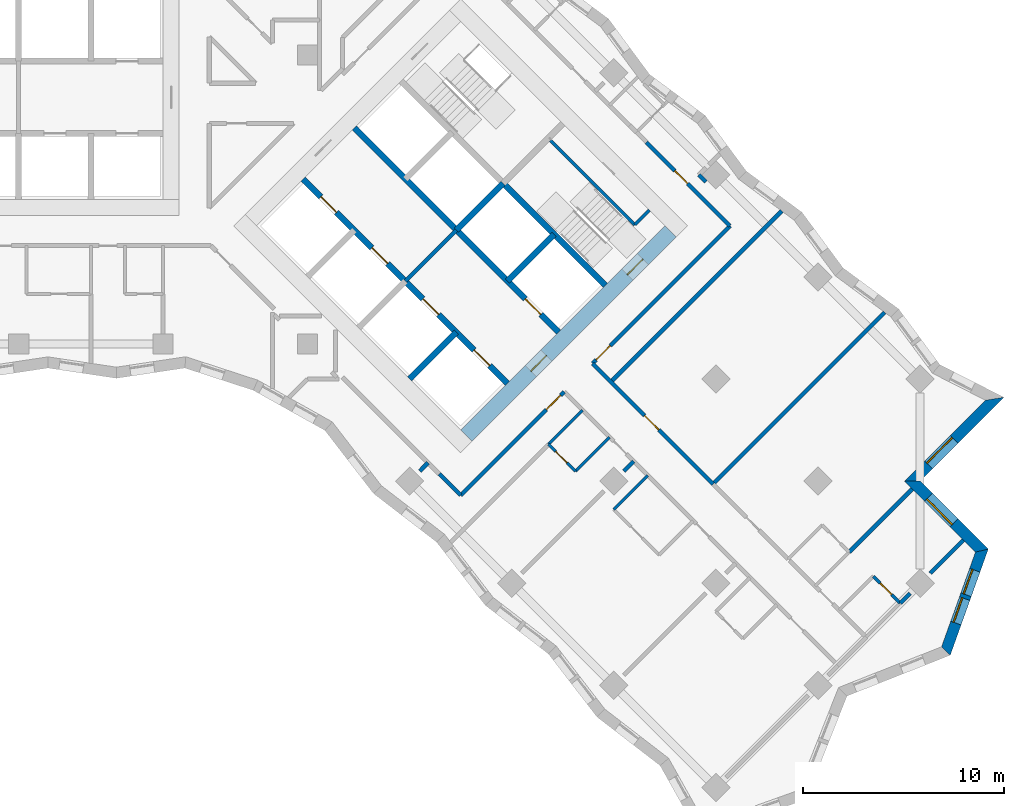
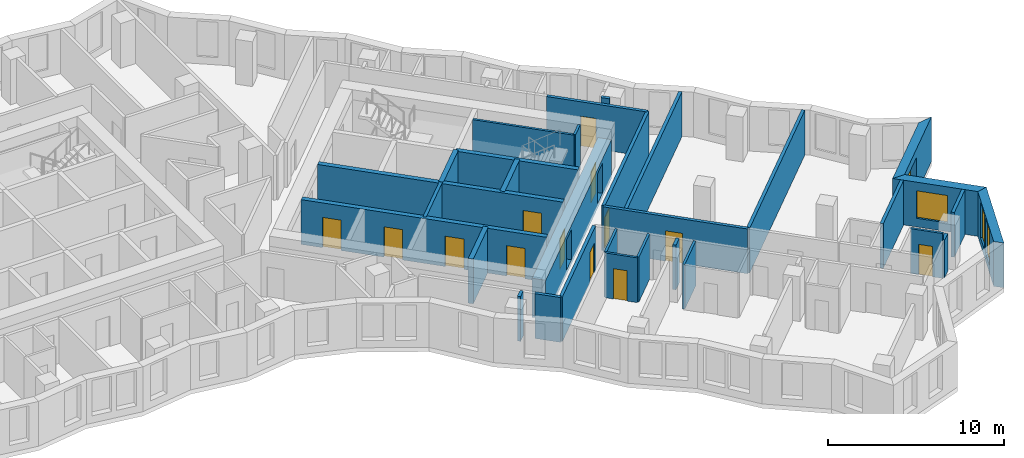
# One storey, part 9 of 13: 31 walls, 13 doors, 4 windows, 17 openings.
"""IFC4 building model written with IfcOpenShell, lengths in metres."""

import ifcopenshell
import ifcopenshell.guid

model = None  # the IFC model being written
_history = None  # IfcOwnerHistory: only IFC2X3 demands one
_inside = {}  # id of a spatial element -> (the spatial element, [elements in it])
_under = {}  # id of a project, library or spatial element -> (it, [spatial elements below it])
_declared = {}  # id of a project -> (the project, [libraries it declares])
_typed = {}  # id of a type object -> (the type object, [elements of that type])
_made_of = {}  # id of a material, layer set ... -> (it, [elements and type objects made of it])


def new_model(schema):
    """Start an empty IFC model of exactly this schema.

    Asked for "IFC4X3", IfcOpenShell would pick the latest addendum, in which some entities
    have other attributes; the version numbers below select the first issue.
    IFC2X3 requires an IfcOwnerHistory on every rooted entity: one is made here for all.
    """
    global model, _history
    if schema == "IFC4X3":
        model = ifcopenshell.file(schema_version=(4, 3, 0, 0))
    else:
        model = ifcopenshell.file(schema=schema)
    _inside.clear()
    _under.clear()
    _declared.clear()
    _typed.clear()
    _made_of.clear()
    _history = None
    if model.schema == "IFC2X3":
        org = make("IfcOrganization", Name="unknown")
        user = make(
            "IfcPersonAndOrganization",
            ThePerson=make("IfcPerson", FamilyName="unknown"),
            TheOrganization=org,
        )
        app = make(
            "IfcApplication",
            ApplicationDeveloper=org,
            Version="unknown",
            ApplicationFullName="unknown",
            ApplicationIdentifier="unknown",
        )
        _history = make(
            "IfcOwnerHistory",
            OwningUser=user,
            OwningApplication=app,
            ChangeAction="ADDED",
            CreationDate=0,
        )
    return model


def make(cls, **values):
    """One entity of the class cls with the attributes given. An attribute that is None is left unset."""
    return model.create_entity(
        cls, **{name: value for name, value in values.items() if value is not None}
    )


def rooted(cls, **values):
    """An entity with a GlobalId (a new one), such as an element, a storey or a relation."""
    return make(cls, GlobalId=ifcopenshell.guid.new(), OwnerHistory=_history, **values)


def si_unit(unit_type, name, prefix=None):
    """IfcSIUnit, for example si_unit("LENGTHUNIT", "METRE", prefix="MILLI")."""
    return make("IfcSIUnit", UnitType=unit_type, Prefix=prefix, Name=name)


def assignment(units):
    """IfcUnitAssignment: the units of a project."""
    return None if units is None else make("IfcUnitAssignment", Units=units)


def point(xyz):
    """IfcCartesianPoint."""
    return None if xyz is None else make("IfcCartesianPoint", Coordinates=xyz)


def direction(xyz):
    """IfcDirection."""
    return None if xyz is None else make("IfcDirection", DirectionRatios=xyz)


def frame(location, z_axis=None, x_axis=None):
    """IfcAxis2Placement3D, a coordinate frame: its origin and axes. An axis left out is left unset."""
    return make(
        "IfcAxis2Placement3D",
        Location=point(location),
        Axis=direction(z_axis),
        RefDirection=direction(x_axis),
    )


def frame_2d(location, x_axis=None):
    """IfcAxis2Placement2D, a coordinate frame in the plane: its origin and x axis."""
    return make(
        "IfcAxis2Placement2D", Location=point(location), RefDirection=direction(x_axis)
    )


def origin():
    """The frame at (0, 0, 0) with its axes left unset."""
    return frame((0.0, 0.0, 0.0))


def place(relative_to, where):
    """IfcLocalPlacement: puts the frame where relative to a parent placement (None: the world)."""
    return make(
        "IfcLocalPlacement", PlacementRelTo=relative_to, RelativePlacement=where
    )


def context(
    kind, dimensions, precision=None, world=None, true_north=None, identifier=None
):
    """IfcGeometricRepresentationContext, for example the 3D "Model" context."""
    return make(
        "IfcGeometricRepresentationContext",
        ContextIdentifier=identifier,
        ContextType=kind,
        CoordinateSpaceDimension=dimensions,
        Precision=precision,
        WorldCoordinateSystem=world,
        TrueNorth=true_north,
    )


def subcontext(parent, identifier, kind, view, scale=None):
    """IfcGeometricRepresentationSubContext, for example "Body" below "Model"."""
    return make(
        "IfcGeometricRepresentationSubContext",
        ContextIdentifier=identifier,
        ContextType=kind,
        ParentContext=parent,
        TargetScale=scale,
        TargetView=view,
    )


def project(units=None, contexts=None):
    """IfcProject with its units and contexts."""
    return rooted(
        "IfcProject",
        Name="project",
        RepresentationContexts=contexts,
        UnitsInContext=assignment(units),
    )


def spatial(cls, under=None, at=None, **own):
    """A site, building, storey or space (cls), placed at a placement, below another one or the project."""
    s = rooted(cls, ObjectPlacement=at, **own)
    if under is not None:
        _under.setdefault(under.id(), (under, []))[1].append(s)
    return s


def polyline(points):
    """IfcPolyline through the points."""
    return make("IfcPolyline", Points=[point(p) for p in points])


def profile(cls, at=None, kind="AREA", **sizes):
    """A parametric profile (cls). Its sizes go by their IFC names, for example OverallWidth=200.0."""
    return make(cls, ProfileType=kind, Position=at, **sizes)


def rectangle(**sizes):
    """IfcRectangleProfileDef."""
    return profile("IfcRectangleProfileDef", **sizes)


def outline(outer, holes=None, kind="AREA"):
    """IfcArbitraryClosedProfileDef: a profile drawn as a closed curve; with holes, ...WithVoids."""
    if holes is None:
        return make("IfcArbitraryClosedProfileDef", ProfileType=kind, OuterCurve=outer)
    return make(
        "IfcArbitraryProfileDefWithVoids",
        ProfileType=kind,
        OuterCurve=outer,
        InnerCurves=holes,
    )


def extrude(swept, where, along, depth):
    """IfcExtrudedAreaSolid: the profile swept, set in the frame where, extruded along a direction by depth."""
    return make(
        "IfcExtrudedAreaSolid",
        SweptArea=swept,
        Position=where,
        ExtrudedDirection=direction(along),
        Depth=depth,
    )


def shape(context_of_items, identifier, shape_type, items):
    """IfcShapeRepresentation: the items that make up one representation, for example the "Body"."""
    return make(
        "IfcShapeRepresentation",
        ContextOfItems=context_of_items,
        RepresentationIdentifier=identifier,
        RepresentationType=shape_type,
        Items=items,
    )


def material(Name=None, Category=None):
    """IfcMaterial."""
    return make("IfcMaterial", Name=Name, Category=Category)


def layer(
    of_material, thickness, ventilated=None, Name=None, Category=None, Priority=None
):
    """IfcMaterialLayer: one layer of a wall or slab, of a material (None: an air gap)."""
    return make(
        "IfcMaterialLayer",
        Material=of_material,
        LayerThickness=thickness,
        IsVentilated=ventilated,
        Name=Name,
        Category=Category,
        Priority=Priority,
    )


def layer_set(layers, Name=None):
    """IfcMaterialLayerSet."""
    return make("IfcMaterialLayerSet", MaterialLayers=layers, LayerSetName=Name)


def made_of(thing, what):
    """Note that an element or type object is made of a material, layer set ...; save() writes the relation."""
    if what is not None:
        _made_of.setdefault(what.id(), (what, []))[1].append(thing)
    return thing


def type_object(cls, material=None, **own):
    """A type object (cls), such as IfcWallType, which elements share."""
    return made_of(rooted(cls, **own), material)


def element(
    cls,
    number,
    at=None,
    inside=None,
    cuts=None,
    type_object=None,
    material=None,
    context=None,
    identifier="Body",
    shape_type=None,
    held_by="IfcProductDefinitionShape",
    body=None,
    shapes=None,
    **own,
):
    """One element of the class cls, such as IfcWall. Its Tag is "e" and its number.

    at: its placement. inside: the storey or other place that contains it. cuts: it is an
    opening in that element (IfcRelVoidsElement). A single representation is given by context,
    identifier, shape_type and body (its items); several are given by shapes. held_by: the class
    of the entity that holds the representations. save() writes the other relations.
    """
    e = rooted(cls, Tag="e%d" % number, ObjectPlacement=at, **own)
    if body is not None:
        shapes = [shape(context, identifier, shape_type, body)]
    if shapes is not None:
        e.Representation = make(held_by, Representations=shapes)
    if inside is not None:
        _inside.setdefault(inside.id(), (inside, []))[1].append(e)
    if cuts is not None:
        rooted(
            "IfcRelVoidsElement", RelatingBuildingElement=cuts, RelatedOpeningElement=e
        )
    if type_object is not None:
        _typed.setdefault(type_object.id(), (type_object, []))[1].append(e)
    return made_of(e, material)


def fill(opening, filler):
    """IfcRelFillsElement: the door or window that sits in an opening."""
    return rooted(
        "IfcRelFillsElement",
        RelatingOpeningElement=opening,
        RelatedBuildingElement=filler,
    )


def aggregate(whole, parts):
    """IfcRelAggregates: a whole, such as a stair, and the parts it consists of."""
    return rooted("IfcRelAggregates", RelatingObject=whole, RelatedObjects=parts)


def save(model, path):
    """Write the relations noted so far, then the file.

    IfcRelAggregates (storeys below a building ...), IfcRelContainedInSpatialStructure (elements
    in a storey), IfcRelDefinesByType, IfcRelAssociatesMaterial and IfcRelDeclares: one each for
    every whole, place, type object, material and project.
    """
    for whole, parts in _under.values():
        aggregate(whole, parts)
    for where, things in _inside.values():
        rooted(
            "IfcRelContainedInSpatialStructure",
            RelatedElements=things,
            RelatingStructure=where,
        )
    for kind, things in _typed.values():
        rooted("IfcRelDefinesByType", RelatedObjects=things, RelatingType=kind)
    for what, things in _made_of.values():
        rooted("IfcRelAssociatesMaterial", RelatedObjects=things, RelatingMaterial=what)
    for by, libraries in _declared.values():
        rooted("IfcRelDeclares", RelatingContext=by, RelatedDefinitions=libraries)
    model.write(path)


model = new_model("IFC4")

# Units and contexts
model_context = context("Model", 3, precision=1e-05, world=origin(), true_north=direction((0.0, 1.0)))
body_context = subcontext(model_context, "Body", "Model", "MODEL_VIEW")
ifc_project = project(units=[si_unit("LENGTHUNIT", "METRE"), si_unit("AREAUNIT", "SQUARE_METRE"), si_unit("VOLUMEUNIT", "CUBIC_METRE"), si_unit("PLANEANGLEUNIT", "RADIAN"), si_unit("MASSUNIT", "GRAM", prefix="KILO")], contexts=[model_context])

# Site, building, storey
site_placement = place(None, origin())
site = spatial("IfcSite", under=ifc_project, at=site_placement, CompositionType="ELEMENT")
building_placement = place(site_placement, origin())
building = spatial("IfcBuilding", under=site, at=building_placement, Name="Windrow Commons", CompositionType="ELEMENT")
storey_placement = place(building_placement, frame((0.0, 0.0, 105.0)))
storey = spatial("IfcBuildingStorey", under=building, at=storey_placement, Name="L28", CompositionType="ELEMENT", Elevation=105.0)

# Wall, openings, windows
ifc_material_1 = material(Name="Brick masonry, red clay brick", Category="masonry")
ifc_layer_1 = layer(ifc_material_1, 0.55)
ifc_layer_set_1 = layer_set([ifc_layer_1], Name="Brick facade wall 550")
wall_type_1 = type_object("IfcWallType", Name="Brick facade wall 550", PredefinedType="SOLIDWALL", material=ifc_layer_set_1)
wall_1_placement = place(storey_placement, frame((111.0306, 27.8899, 0.0), z_axis=(0.0, 0.0, 1.0), x_axis=(0.3371475074, 0.9414518353, 0.0)))
wall_1 = element("IfcWall", 1, at=wall_1_placement, inside=storey, type_object=wall_type_1, Name="Brick facade wall L28 4", PredefinedType="SOLIDWALL", context=body_context, shape_type="SweptSolid", body=[
    extrude(outline(polyline([(-0.1245, -0.275), (5.4921, -0.275), (5.1437, 0.275), (0.1245, 0.275), (-0.1245, -0.275)])), origin(), (0.0, 0.0, 1.0), 3.1),
])
opening_1_placement = place(wall_1_placement, frame((1.4786, 0.0, 0.5)))
opening_1 = element("IfcOpeningElement", 2, at=opening_1_placement, cuts=wall_1, Name="Opening W1P", PredefinedType="OPENING", context=body_context, shape_type="SweptSolid", body=[
    extrude(rectangle(XDim=1.3, YDim=2.45, at=frame_2d((0.65, 1.225))), frame((0.0, 0.285, 0.0), z_axis=(0.0, -1.0, 0.0), x_axis=(1.0, 0.0, 0.0)), (0.0, 0.0, 1.0), 0.57),
])
opening_2_placement = place(wall_1_placement, frame((2.9786, 0.0, 0.5)))
opening_2 = element("IfcOpeningElement", 3, at=opening_2_placement, cuts=wall_1, Name="Opening W1P", PredefinedType="OPENING", context=body_context, shape_type="SweptSolid", body=[
    extrude(rectangle(XDim=1.3, YDim=2.45, at=frame_2d((0.65, 1.225))), frame((0.0, 0.285, 0.0), z_axis=(0.0, -1.0, 0.0), x_axis=(1.0, 0.0, 0.0)), (0.0, 0.0, 1.0), 0.57),
])
ifc_material_2 = material(Name="Clear float glass in anodised aluminium frame", Category="aluminium")
window_type_1 = type_object("IfcWindowType", Name="Window W1P pair 1300x2450", PartitioningType="SINGLE_PANEL", PredefinedType="WINDOW", material=ifc_material_2)
window_1_placement = place(opening_1_placement, origin())
window_1 = element("IfcWindow", 4, at=window_1_placement, inside=storey, type_object=window_type_1, Name="Window L28 4.1A", OverallHeight=2.45, OverallWidth=1.3, PartitioningType="SINGLE_PANEL", PredefinedType="WINDOW", context=body_context, shape_type="SweptSolid", body=[
    extrude(rectangle(XDim=1.3, YDim=2.45, at=frame_2d((0.65, 1.225))), frame((0.0, 0.155, 0.0), z_axis=(0.0, -1.0, 0.0), x_axis=(1.0, 0.0, 0.0)), (0.0, 0.0, 1.0), 0.06),
])
fill(opening_1, window_1)
window_2_placement = place(opening_2_placement, origin())
window_2 = element("IfcWindow", 5, at=window_2_placement, inside=storey, type_object=window_type_1, Name="Window L28 4.1B", OverallHeight=2.45, OverallWidth=1.3, PartitioningType="SINGLE_PANEL", PredefinedType="WINDOW", context=body_context, shape_type="SweptSolid", body=[
    extrude(rectangle(XDim=1.3, YDim=2.45, at=frame_2d((0.65, 1.225))), frame((0.0, 0.155, 0.0), z_axis=(0.0, -1.0, 0.0), x_axis=(1.0, 0.0, 0.0)), (0.0, 0.0, 1.0), 0.06),
])
fill(opening_2, window_2)

# Wall, opening, window
wall_2_placement = place(storey_placement, frame((112.8235, 32.8964, 0.0), z_axis=(0.0, 0.0, 1.0), x_axis=(-0.7071067812, 0.7071067812, 0.0)))
wall_2 = element("IfcWall", 6, at=wall_2_placement, inside=storey, type_object=wall_type_1, Name="Brick facade wall L28 5", PredefinedType="SOLIDWALL", context=body_context, shape_type="SweptSolid", body=[
    extrude(outline(polyline([(-0.1742, -0.275), (4.6258, -0.275), (5.1758, 0.275), (0.1742, 0.275), (-0.1742, -0.275)])), origin(), (0.0, 0.0, 1.0), 3.1),
])
opening_3_placement = place(wall_2_placement, frame((1.9633, 0.0, 0.6)))
opening_3 = element("IfcOpeningElement", 7, at=opening_3_placement, cuts=wall_2, Name="Opening W1L", PredefinedType="OPENING", context=body_context, shape_type="SweptSolid", body=[
    extrude(rectangle(XDim=1.8, YDim=1.9, at=frame_2d((0.9, 0.95))), frame((0.0, 0.285, 0.0), z_axis=(0.0, -1.0, 0.0), x_axis=(1.0, 0.0, 0.0)), (0.0, 0.0, 1.0), 0.57),
])
ifc_material_3 = material(Name="Clear float glass in anodised aluminium frame", Category="aluminium")
window_type_2 = type_object("IfcWindowType", Name="Window W1L bedroom 1800x1900", PartitioningType="SINGLE_PANEL", PredefinedType="WINDOW", material=ifc_material_3)
window_3_placement = place(opening_3_placement, origin())
window_3 = element("IfcWindow", 8, at=window_3_placement, inside=storey, type_object=window_type_2, Name="Window L28 5.1", OverallHeight=1.9, OverallWidth=1.8, PartitioningType="SINGLE_PANEL", PredefinedType="WINDOW", context=body_context, shape_type="SweptSolid", body=[
    extrude(rectangle(XDim=1.8, YDim=1.9, at=frame_2d((0.9, 0.95))), frame((0.0, 0.155, 0.0), z_axis=(0.0, -1.0, 0.0), x_axis=(1.0, 0.0, 0.0)), (0.0, 0.0, 1.0), 0.06),
])
fill(opening_3, window_3)

wall_3_placement = place(storey_placement, frame((109.3581, 36.3618, 0.0), z_axis=(0.0, 0.0, 1.0), x_axis=(0.7071067812, 0.7071067812, 0.0)))
wall_3 = element("IfcWall", 9, at=wall_3_placement, inside=storey, type_object=wall_type_1, Name="Brick facade wall L28 6", PredefinedType="SOLIDWALL", context=body_context, shape_type="SweptSolid", body=[
    extrude(outline(polyline([(0.275, -0.275), (6.187, -0.275), (5.4292, 0.275), (-0.275, 0.275), (0.275, -0.275)])), origin(), (0.0, 0.0, 1.0), 3.1),
])
opening_4_placement = place(wall_3_placement, frame((1.1375, 0.0, 0.6)))
opening_4 = element("IfcOpeningElement", 10, at=opening_4_placement, cuts=wall_3, Name="Opening W1L", PredefinedType="OPENING", context=body_context, shape_type="SweptSolid", body=[
    extrude(rectangle(XDim=1.8, YDim=1.9, at=frame_2d((0.9, 0.95))), frame((0.0, 0.285, 0.0), z_axis=(0.0, -1.0, 0.0), x_axis=(1.0, 0.0, 0.0)), (0.0, 0.0, 1.0), 0.57),
])
window_4_placement = place(opening_4_placement, origin())
window_4 = element("IfcWindow", 11, at=window_4_placement, inside=storey, type_object=window_type_2, Name="Window L28 6.1", OverallHeight=1.9, OverallWidth=1.8, PartitioningType="SINGLE_PANEL", PredefinedType="WINDOW", context=body_context, shape_type="SweptSolid", body=[
    extrude(rectangle(XDim=1.8, YDim=1.9, at=frame_2d((0.9, 0.95))), frame((0.0, 0.155, 0.0), z_axis=(0.0, -1.0, 0.0), x_axis=(1.0, 0.0, 0.0)), (0.0, 0.0, 1.0), 0.06),
])
fill(opening_4, window_4)

# Wall
ifc_material_4 = material(Name="Blockwork partition", Category="masonry")
ifc_layer_2 = layer(ifc_material_4, 0.2)
ifc_layer_set_2 = layer_set([ifc_layer_2], Name="Fire lobby partition 200")
wall_type_2 = type_object("IfcWallType", Name="Fire lobby partition 200", PredefinedType="PARTITIONING", material=ifc_layer_set_2)
wall_4_placement = place(storey_placement, frame((84.079, 46.332, 0.0), z_axis=(0.0, 0.0, 1.0), x_axis=(0.7071067812, 0.7071067812, 0.0)))
element("IfcWall", 12, at=wall_4_placement, inside=storey, type_object=wall_type_2, Name="W-core-lobby-B-L28", PredefinedType="PARTITIONING", context=body_context, shape_type="SweptSolid", body=[
    extrude(rectangle(XDim=3.6, YDim=0.2, at=frame_2d((1.8, 0.0))), origin(), (0.0, 0.0, 1.0), 3.1),
])

# Wall, opening, door
ifc_material_5 = material(Name="Blockwork partition", Category="masonry")
ifc_layer_3 = layer(ifc_material_5, 0.2)
ifc_layer_set_3 = layer_set([ifc_layer_3], Name="IW-CORRIDOR-200")
wall_type_3 = type_object("IfcWallType", Name="IW-CORRIDOR-200", PredefinedType="PARTITIONING", material=ifc_layer_set_3)
wall_5_placement = place(storey_placement, frame((93.4132, 42.2328, 0.0), z_axis=(0.0, 0.0, 1.0), x_axis=(0.7071067812, 0.7071067812, 0.0)))
wall_5 = element("IfcWall", 13, at=wall_5_placement, inside=storey, type_object=wall_type_3, Name="W-L28-W013", PredefinedType="PARTITIONING", context=body_context, shape_type="SweptSolid", body=[
    extrude(rectangle(XDim=9.6987, YDim=0.2, at=frame_2d((4.8494, 0.0))), origin(), (0.0, 0.0, 1.0), 3.1),
])
opening_5_placement = place(wall_5_placement, frame((0.2494, 0.0, 0.0)))
opening_5 = element("IfcOpeningElement", 14, at=opening_5_placement, cuts=wall_5, Name="Opening D310F", PredefinedType="OPENING", context=body_context, shape_type="SweptSolid", body=[
    extrude(rectangle(XDim=1.0, YDim=2.1, at=frame_2d((0.5, 1.05))), frame((0.0, 0.11, 0.0), z_axis=(0.0, -1.0, 0.0), x_axis=(1.0, 0.0, 0.0)), (0.0, 0.0, 1.0), 0.22),
])
ifc_material_6 = material(Name="Timber door leaf", Category="wood")
door_type_1 = type_object("IfcDoorType", Name="DT-AMENITY-1000", OperationType="SINGLE_SWING_LEFT", PredefinedType="DOOR", material=ifc_material_6)
door_1_placement = place(opening_5_placement, origin())
door_1 = element("IfcDoor", 15, at=door_1_placement, inside=storey, type_object=door_type_1, Name="D-L28-D042", OperationType="SINGLE_SWING_LEFT", OverallHeight=2.1, OverallWidth=1.0, PredefinedType="DOOR", context=body_context, shape_type="SweptSolid", body=[
    extrude(rectangle(XDim=1.0, YDim=2.1, at=frame_2d((0.5, 1.05))), frame((0.0, 0.025, 0.0), z_axis=(0.0, -1.0, 0.0), x_axis=(1.0, 0.0, 0.0)), (0.0, 0.0, 1.0), 0.05),
])
fill(opening_5, door_1)

wall_6_placement = place(storey_placement, frame((93.4106, 42.2266, 0.0), z_axis=(0.0, 0.0, 1.0), x_axis=(0.7071067812, -0.7071067812, 0.0)))
wall_6 = element("IfcWall", 16, at=wall_6_placement, inside=storey, type_object=wall_type_3, Name="W-L28-W017", PredefinedType="PARTITIONING", context=body_context, shape_type="SweptSolid", body=[
    extrude(rectangle(XDim=8.4994, YDim=0.2, at=frame_2d((4.2497, 0.0))), origin(), (0.0, 0.0, 1.0), 3.1),
])
opening_6_placement = place(wall_6_placement, frame((3.6724, 0.0, 0.0)))
opening_6 = element("IfcOpeningElement", 17, at=opening_6_placement, cuts=wall_6, Name="Opening D310F", PredefinedType="OPENING", context=body_context, shape_type="SweptSolid", body=[
    extrude(rectangle(XDim=1.0, YDim=2.1, at=frame_2d((0.5, 1.05))), frame((0.0, 0.11, 0.0), z_axis=(0.0, -1.0, 0.0), x_axis=(1.0, 0.0, 0.0)), (0.0, 0.0, 1.0), 0.22),
])
door_2_placement = place(opening_6_placement, origin())
door_2 = element("IfcDoor", 18, at=door_2_placement, inside=storey, type_object=door_type_1, Name="D-L28-D043", OperationType="SINGLE_SWING_RIGHT", OverallHeight=2.1, OverallWidth=1.0, PredefinedType="DOOR", context=body_context, shape_type="SweptSolid", body=[
    extrude(rectangle(XDim=1.0, YDim=2.1, at=frame_2d((0.5, 1.05))), frame((0.0, 0.025, 0.0), z_axis=(0.0, -1.0, 0.0), x_axis=(1.0, 0.0, 0.0)), (0.0, 0.0, 1.0), 0.05),
])
fill(opening_6, door_2)

wall_7_placement = place(storey_placement, frame((86.8352, 35.6548, 0.0), z_axis=(0.0, 0.0, 1.0), x_axis=(0.7071067812, 0.7071067812, 0.0)))
wall_7 = element("IfcWall", 19, at=wall_7_placement, inside=storey, type_object=wall_type_3, Name="W-L28-W019", PredefinedType="PARTITIONING", context=body_context, shape_type="SweptSolid", body=[
    extrude(rectangle(XDim=7.3002, YDim=0.2, at=frame_2d((3.6501, 0.0))), origin(), (0.0, 0.0, 1.0), 3.1),
])
opening_7_placement = place(wall_7_placement, frame((6.0463, 0.0, 0.0)))
opening_7 = element("IfcOpeningElement", 20, at=opening_7_placement, cuts=wall_7, Name="Opening D310F", PredefinedType="OPENING", context=body_context, shape_type="SweptSolid", body=[
    extrude(rectangle(XDim=1.0, YDim=2.1, at=frame_2d((0.5, 1.05))), frame((0.0, 0.11, 0.0), z_axis=(0.0, -1.0, 0.0), x_axis=(1.0, 0.0, 0.0)), (0.0, 0.0, 1.0), 0.22),
])
door_3_placement = place(opening_7_placement, origin())
door_3 = element("IfcDoor", 21, at=door_3_placement, inside=storey, type_object=door_type_1, Name="D-L28-D046", OperationType="SINGLE_SWING_RIGHT", OverallHeight=2.1, OverallWidth=1.0, PredefinedType="DOOR", context=body_context, shape_type="SweptSolid", body=[
    extrude(rectangle(XDim=1.0, YDim=2.1, at=frame_2d((0.5, 1.05))), frame((0.0, 0.025, 0.0), z_axis=(0.0, -1.0, 0.0), x_axis=(1.0, 0.0, 0.0)), (0.0, 0.0, 1.0), 0.05),
])
fill(opening_7, door_3)

wall_8_placement = place(storey_placement, frame((96.0965, 53.2585, 0.0), z_axis=(0.0, 0.0, 1.0), x_axis=(0.7071067812, -0.7071067812, 0.0)))
wall_8 = element("IfcWall", 22, at=wall_8_placement, inside=storey, type_object=wall_type_3, Name="W-L28-W029", PredefinedType="PARTITIONING", context=body_context, shape_type="SweptSolid", body=[
    extrude(rectangle(XDim=5.9001, YDim=0.2, at=frame_2d((2.9501, 0.0))), origin(), (0.0, 0.0, 1.0), 3.1),
])
opening_8_placement = place(wall_8_placement, frame((2.0065, 0.0, 0.0)))
opening_8 = element("IfcOpeningElement", 23, at=opening_8_placement, cuts=wall_8, Name="Opening D109S", PredefinedType="OPENING", context=body_context, shape_type="SweptSolid", body=[
    extrude(rectangle(XDim=0.9, YDim=2.1, at=frame_2d((0.45, 1.05))), frame((0.0, 0.11, 0.0), z_axis=(0.0, -1.0, 0.0), x_axis=(1.0, 0.0, 0.0)), (0.0, 0.0, 1.0), 0.22),
])
ifc_material_7 = material(Name="Timber door leaf", Category="wood")
door_type_2 = type_object("IfcDoorType", Name="DT-BEDROOM-900", OperationType="SINGLE_SWING_LEFT", PredefinedType="DOOR", material=ifc_material_7)
door_4_placement = place(opening_8_placement, origin())
door_4 = element("IfcDoor", 24, at=door_4_placement, inside=storey, type_object=door_type_2, Name="D-L28-D039", OperationType="SINGLE_SWING_LEFT", OverallHeight=2.1, OverallWidth=0.9, PredefinedType="DOOR", context=body_context, shape_type="SweptSolid", body=[
    extrude(rectangle(XDim=0.9, YDim=2.1, at=frame_2d((0.45, 1.05))), frame((0.0, 0.025, 0.0), z_axis=(0.0, -1.0, 0.0), x_axis=(1.0, 0.0, 0.0)), (0.0, 0.0, 1.0), 0.05),
])
fill(opening_8, door_4)

# Walls
wall_9_placement = place(storey_placement, frame((85.7777, 36.7177, 0.0), z_axis=(0.0, 0.0, 1.0), x_axis=(0.7064400143, -0.70777292, 0.0)))
element("IfcWall", 25, at=wall_9_placement, inside=storey, type_object=wall_type_3, Name="W-L28-W132", PredefinedType="PARTITIONING", context=body_context, shape_type="SweptSolid", body=[
    extrude(rectangle(XDim=1.5005, YDim=0.2, at=frame_2d((0.7502, 0.0))), origin(), (0.0, 0.0, 1.0), 3.1),
])
ifc_material_8 = material(Name="Blockwork partition", Category="masonry")
ifc_layer_4 = layer(ifc_material_8, 0.15)
ifc_layer_set_4 = layer_set([ifc_layer_4], Name="IW-ENSUITE-150")
wall_type_4 = type_object("IfcWallType", Name="IW-ENSUITE-150", PredefinedType="PARTITIONING", material=ifc_layer_set_4)
for number, where, z_axis, x_axis, name in (
    (26, (92.5629, 36.8571, 0.0), (0.0, 0.0, 1.0), (0.7071067812, 0.7071067812, 0.0), "W-L28-W064"),
    (27, (91.2194, 38.2006, 0.0), (0.0, 0.0, 1.0), (0.7071067812, 0.7071067812, 0.0), "W-L28-W065"),
):
    element("IfcWall", number, at=place(storey_placement, frame(where, z_axis=z_axis, x_axis=x_axis)), inside=storey, type_object=wall_type_4, Name=name, PredefinedType="PARTITIONING", context=body_context, shape_type="SweptSolid", body=[
        extrude(rectangle(XDim=2.4013, YDim=0.15, at=frame_2d((1.2006, 0.0))), origin(), (0.0, 0.0, 1.0), 3.1),
    ])
wall_10_placement = place(storey_placement, frame((94.4731, 34.9489, 0.0), z_axis=(0.0, 0.0, 1.0), x_axis=(0.7071067812, 0.7071067812, 0.0)))
element("IfcWall", 28, at=wall_10_placement, inside=storey, type_object=wall_type_4, Name="W-L28-W095", PredefinedType="PARTITIONING", context=body_context, shape_type="SweptSolid", body=[
    extrude(rectangle(XDim=2.3985, YDim=0.15, at=frame_2d((1.1992, 0.0))), origin(), (0.0, 0.0, 1.0), 3.1),
])

# Wall, opening, door
wall_11_placement = place(storey_placement, frame((107.4107, 31.6207, 0.0), z_axis=(0.0, 0.0, 1.0), x_axis=(0.7071067812, -0.7071067812, 0.0)))
wall_11 = element("IfcWall", 29, at=wall_11_placement, inside=storey, type_object=wall_type_4, Name="W-L28-W116", PredefinedType="PARTITIONING", context=body_context, shape_type="SweptSolid", body=[
    extrude(rectangle(XDim=1.9007, YDim=0.15, at=frame_2d((0.9504, 0.0))), origin(), (0.0, 0.0, 1.0), 3.1),
])
opening_9_placement = place(wall_11_placement, frame((0.4926, 0.0, 0.0)))
opening_9 = element("IfcOpeningElement", 30, at=opening_9_placement, cuts=wall_11, Name="Opening D208N", PredefinedType="OPENING", context=body_context, shape_type="SweptSolid", body=[
    extrude(rectangle(XDim=0.8, YDim=2.1, at=frame_2d((0.4, 1.05))), frame((0.0, 0.085, 0.0), z_axis=(0.0, -1.0, 0.0), x_axis=(1.0, 0.0, 0.0)), (0.0, 0.0, 1.0), 0.17),
])
ifc_material_9 = material(Name="Timber door leaf", Category="wood")
door_type_3 = type_object("IfcDoorType", Name="DT-ENSUITE-800", OperationType="SINGLE_SWING_LEFT", PredefinedType="DOOR", material=ifc_material_9)
door_5_placement = place(opening_9_placement, origin())
door_5 = element("IfcDoor", 31, at=door_5_placement, inside=storey, type_object=door_type_3, Name="D-L28-D054", OperationType="SINGLE_SWING_RIGHT", OverallHeight=2.1, OverallWidth=0.8, PredefinedType="DOOR", context=body_context, shape_type="SweptSolid", body=[
    extrude(rectangle(XDim=0.8, YDim=2.1, at=frame_2d((0.4, 1.05))), frame((0.0, 0.025, 0.0), z_axis=(0.0, -1.0, 0.0), x_axis=(1.0, 0.0, 0.0)), (0.0, 0.0, 1.0), 0.05),
])
fill(opening_9, door_5)

wall_12_placement = place(storey_placement, frame((91.2173, 38.1973, 0.0), z_axis=(0.0, 0.0, 1.0), x_axis=(0.7071067812, -0.7071067812, 0.0)))
wall_12 = element("IfcWall", 32, at=wall_12_placement, inside=storey, type_object=wall_type_4, Name="W-L28-W118", PredefinedType="PARTITIONING", context=body_context, shape_type="SweptSolid", body=[
    extrude(rectangle(XDim=1.9007, YDim=0.15, at=frame_2d((0.9504, 0.0))), origin(), (0.0, 0.0, 1.0), 3.1),
])
opening_10_placement = place(wall_12_placement, frame((0.5024, 0.0, 0.0)))
opening_10 = element("IfcOpeningElement", 33, at=opening_10_placement, cuts=wall_12, Name="Opening D208N", PredefinedType="OPENING", context=body_context, shape_type="SweptSolid", body=[
    extrude(rectangle(XDim=0.8, YDim=2.1, at=frame_2d((0.4, 1.05))), frame((0.0, 0.085, 0.0), z_axis=(0.0, -1.0, 0.0), x_axis=(1.0, 0.0, 0.0)), (0.0, 0.0, 1.0), 0.17),
])
door_6_placement = place(opening_10_placement, origin())
door_6 = element("IfcDoor", 34, at=door_6_placement, inside=storey, type_object=door_type_3, Name="D-L28-D048", OperationType="SINGLE_SWING_RIGHT", OverallHeight=2.1, OverallWidth=0.8, PredefinedType="DOOR", context=body_context, shape_type="SweptSolid", body=[
    extrude(rectangle(XDim=0.8, YDim=2.1, at=frame_2d((0.4, 1.05))), frame((0.0, 0.025, 0.0), z_axis=(0.0, -1.0, 0.0), x_axis=(1.0, 0.0, 0.0)), (0.0, 0.0, 1.0), 0.05),
])
fill(opening_10, door_6)

# Walls
ifc_material_10 = material(Name="Blockwork partition", Category="masonry")
ifc_layer_5 = layer(ifc_material_10, 0.2)
ifc_layer_set_5 = layer_set([ifc_layer_5], Name="IW-PARTY-200")
wall_type_5 = type_object("IfcWallType", Name="IW-PARTY-200", PredefinedType="PARTITIONING", material=ifc_layer_set_5)
wall_13_placement = place(storey_placement, frame((99.4226, 36.2214, 0.0), z_axis=(0.0, 0.0, 1.0), x_axis=(0.7071067812, 0.7071067812, 0.0)))
element("IfcWall", 35, at=wall_13_placement, inside=storey, type_object=wall_type_5, Name="W-L28-W006", PredefinedType="PARTITIONING", context=body_context, shape_type="SweptSolid", body=[
    extrude(rectangle(XDim=12.0987, YDim=0.2, at=frame_2d((6.0493, 0.0))), origin(), (0.0, 0.0, 1.0), 3.1),
])
wall_14_placement = place(storey_placement, frame((94.3314, 41.3126, 0.0), z_axis=(0.0, 0.0, 1.0), x_axis=(0.7071109333, 0.7071026291, 0.0)))
element("IfcWall", 36, at=wall_14_placement, inside=storey, type_object=wall_type_5, Name="W-L28-W007", PredefinedType="PARTITIONING", context=body_context, shape_type="SweptSolid", body=[
    extrude(rectangle(XDim=12.0421, YDim=0.2, at=frame_2d((6.021, 0.0))), origin(), (0.0, 0.0, 1.0), 3.1),
])
wall_15_placement = place(storey_placement, frame((106.2108, 32.8272, 0.0), z_axis=(0.0, 0.0, 1.0), x_axis=(0.7071067812, 0.7071067812, 0.0)))
element("IfcWall", 37, at=wall_15_placement, inside=storey, type_object=wall_type_5, Name="W-L28-W047", PredefinedType="PARTITIONING", context=body_context, shape_type="SweptSolid", body=[
    extrude(rectangle(XDim=4.4498, YDim=0.2, at=frame_2d((2.2249, 0.0))), origin(), (0.0, 0.0, 1.0), 3.1),
])
wall_16_placement = place(storey_placement, frame((110.2515, 31.7666, 0.0), z_axis=(0.0, 0.0, 1.0), x_axis=(0.7066584143, 0.7075548639, 0.0)))
element("IfcWall", 38, at=wall_16_placement, inside=storey, type_object=wall_type_5, Name="W-L28-W099", PredefinedType="PARTITIONING", context=body_context, shape_type="SweptSolid", body=[
    extrude(rectangle(XDim=2.3426, YDim=0.2, at=frame_2d((1.1713, 0.0))), origin(), (0.0, 0.0, 1.0), 3.1),
])
wall_17_placement = place(storey_placement, frame((94.973, 36.863, 0.0), z_axis=(0.0, 0.0, 1.0), x_axis=(0.7071067812, 0.7071067812, 0.0)))
element("IfcWall", 39, at=wall_17_placement, inside=storey, type_object=wall_type_5, Name="W-L28-W146", PredefinedType="PARTITIONING", context=body_context, shape_type="SweptSolid", body=[
    extrude(rectangle(XDim=0.693, YDim=0.2, at=frame_2d((0.3465, 0.0))), origin(), (0.0, 0.0, 1.0), 3.1),
])
wall_18_placement = place(storey_placement, frame((108.7564, 30.2816, 0.0), z_axis=(0.0, 0.0, 1.0), x_axis=(0.7071067812, 0.7071067812, 0.0)))
element("IfcWall", 40, at=wall_18_placement, inside=storey, type_object=wall_type_5, Name="W-L28-W147", PredefinedType="PARTITIONING", context=body_context, shape_type="SweptSolid", body=[
    extrude(rectangle(XDim=0.693, YDim=0.2, at=frame_2d((0.3465, 0.0))), origin(), (0.0, 0.0, 1.0), 2.6),
])
wall_19_placement = place(storey_placement, frame((84.7942, 36.8598, 0.0), z_axis=(0.0, 0.0, 1.0), x_axis=(0.7054171665, 0.7087923682, 0.0)))
element("IfcWall", 41, at=wall_19_placement, inside=storey, type_object=wall_type_5, Name="W-L28-W152", PredefinedType="PARTITIONING", context=body_context, shape_type="SweptSolid", body=[
    extrude(rectangle(XDim=0.5926, YDim=0.2, at=frame_2d((0.2963, 0.0))), origin(), (0.0, 0.0, 1.0), 3.1),
])
wall_20_placement = place(storey_placement, frame((98.7125, 51.6325, 0.0), z_axis=(0.0, 0.0, 1.0), x_axis=(0.7071067812, -0.7071067812, 0.0)))
element("IfcWall", 42, at=wall_20_placement, inside=storey, type_object=wall_type_5, Name="W-L28-W154", PredefinedType="PARTITIONING", context=body_context, shape_type="SweptSolid", body=[
    extrude(rectangle(XDim=0.4978, YDim=0.2, at=frame_2d((0.2489, 0.0))), origin(), (0.0, 0.0, 1.0), 3.1),
])

# Wall, openings, doors
ifc_material_11 = material(Name="Concrete C50/60", Category="concrete")
ifc_layer_6 = layer(ifc_material_11, 0.8)
ifc_layer_set_6 = layer_set([ifc_layer_6], Name="RC CORE WALL 800 C50/60")
wall_type_6 = type_object("IfcWallType", Name="RC CORE WALL 800 C50/60", PredefinedType="SHEAR", material=ifc_layer_set_6)
wall_21_placement = place(storey_placement, frame((87.1196, 38.6246, -0.3), z_axis=(0.0, 0.0, 1.0), x_axis=(0.7071067812, 0.7071067812, 0.0)))
wall_21 = element("IfcWall", 43, at=wall_21_placement, inside=storey, type_object=wall_type_6, Name="Core B wall outer-E", PredefinedType="SHEAR", context=body_context, shape_type="SweptSolid", body=[
    extrude(rectangle(XDim=14.3999, YDim=0.8, at=frame_2d((7.2, 0.0))), origin(), (0.0, 0.0, 1.0), 2.7),
])
opening_11_placement = place(wall_21_placement, frame((4.55, 0.0, 0.3)))
opening_11 = element("IfcOpeningElement", 44, at=opening_11_placement, cuts=wall_21, Name="Opening D6", PredefinedType="OPENING", context=body_context, shape_type="SweptSolid", body=[
    extrude(rectangle(XDim=1.1, YDim=2.1, at=frame_2d((0.55, 1.05))), frame((0.0, 0.41, 0.0), z_axis=(0.0, -1.0, 0.0), x_axis=(1.0, 0.0, 0.0)), (0.0, 0.0, 1.0), 0.82),
])
opening_12_placement = place(wall_21_placement, frame((11.35, 0.0, 0.3)))
opening_12 = element("IfcOpeningElement", 45, at=opening_12_placement, cuts=wall_21, Name="Opening D7", PredefinedType="OPENING", context=body_context, shape_type="SweptSolid", body=[
    extrude(rectangle(XDim=1.1, YDim=2.1, at=frame_2d((0.55, 1.05))), frame((0.0, 0.41, 0.0), z_axis=(0.0, -1.0, 0.0), x_axis=(1.0, 0.0, 0.0)), (0.0, 0.0, 1.0), 0.82),
])
ifc_material_12 = material(Name="Steel fire door leaf", Category="steel")
door_type_4 = type_object("IfcDoorType", Name="Core lobby door 1100", OperationType="SINGLE_SWING_LEFT", PredefinedType="DOOR", material=ifc_material_12)
door_7_placement = place(opening_11_placement, origin())
door_7 = element("IfcDoor", 46, at=door_7_placement, inside=storey, type_object=door_type_4, Name="Lift lobby door", OperationType="DOUBLE_DOOR_SINGLE_SWING", OverallHeight=2.1, OverallWidth=1.1, PredefinedType="DOOR", context=body_context, shape_type="SweptSolid", body=[
    extrude(rectangle(XDim=1.1, YDim=2.1, at=frame_2d((0.55, 1.05))), frame((0.0, 0.025, 0.0), z_axis=(0.0, -1.0, 0.0), x_axis=(1.0, 0.0, 0.0)), (0.0, 0.0, 1.0), 0.05),
])
fill(opening_11, door_7)
ifc_material_13 = material(Name="Steel fire door leaf", Category="steel")
door_type_5 = type_object("IfcDoorType", Name="Stair door 1100", OperationType="SINGLE_SWING_LEFT", PredefinedType="DOOR", material=ifc_material_13)
door_8_placement = place(opening_12_placement, origin())
door_8 = element("IfcDoor", 47, at=door_8_placement, inside=storey, type_object=door_type_5, Name="Stair door", OperationType="SINGLE_SWING_RIGHT", OverallHeight=2.1, OverallWidth=1.1, PredefinedType="DOOR", context=body_context, shape_type="SweptSolid", body=[
    extrude(rectangle(XDim=1.1, YDim=2.1, at=frame_2d((0.55, 1.05))), frame((0.0, 0.025, 0.0), z_axis=(0.0, -1.0, 0.0), x_axis=(1.0, 0.0, 0.0)), (0.0, 0.0, 1.0), 0.05),
])
fill(opening_12, door_8)

# Walls
ifc_material_14 = material(Name="Concrete C50/60", Category="concrete")
ifc_layer_7 = layer(ifc_material_14, 0.3)
ifc_layer_set_7 = layer_set([ifc_layer_7], Name="RC SHAFT WALL 300 C50/60")
wall_type_7 = type_object("IfcWallType", Name="RC SHAFT WALL 300 C50/60", PredefinedType="SOLIDWALL", material=ifc_layer_set_7)
wall_22_placement = place(storey_placement, frame((86.6246, 48.8776, 0.0), z_axis=(0.0, 0.0, 1.0), x_axis=(0.7071067812, 0.7071067812, 0.0)))
element("IfcWall", 48, at=wall_22_placement, inside=storey, type_object=wall_type_7, Name="Core B wall shaft-N2", PredefinedType="SOLIDWALL", context=body_context, shape_type="SweptSolid", body=[
    extrude(rectangle(XDim=3.3001, YDim=0.3, at=frame_2d((1.6501, 0.0))), origin(), (0.0, 0.0, 1.0), 3.1),
])
wall_23_placement = place(storey_placement, frame((84.2912, 41.453, 0.0), z_axis=(0.0, 0.0, 1.0), x_axis=(0.7071067812, 0.7071067812, 0.0)))
element("IfcWall", 49, at=wall_23_placement, inside=storey, type_object=wall_type_7, Name="Core B wall shaft-S3", PredefinedType="SOLIDWALL", context=body_context, shape_type="SweptSolid", body=[
    extrude(rectangle(XDim=3.2999, YDim=0.3, at=frame_2d((1.65, 0.0))), origin(), (0.0, 0.0, 1.0), 3.1),
])
wall_24_placement = place(storey_placement, frame((89.1702, 46.332, 0.0), z_axis=(0.0, 0.0, 1.0), x_axis=(0.7071067812, 0.7071067812, 0.0)))
element("IfcWall", 50, at=wall_24_placement, inside=storey, type_object=wall_type_7, Name="Core B wall shaft-N3", PredefinedType="SOLIDWALL", context=body_context, shape_type="SweptSolid", body=[
    extrude(rectangle(XDim=3.3001, YDim=0.3, at=frame_2d((1.6501, 0.0))), origin(), (0.0, 0.0, 1.0), 3.1),
])

# Wall, openings, doors
wall_25_placement = place(storey_placement, frame((78.9879, 51.4232, 0.0), z_axis=(0.0, 0.0, 1.0), x_axis=(0.7071067812, -0.7071067812, 0.0)))
wall_25 = element("IfcWall", 51, at=wall_25_placement, inside=storey, type_object=wall_type_7, Name="Core B wall lobby-S", PredefinedType="SOLIDWALL", context=body_context, shape_type="SweptSolid", body=[
    extrude(rectangle(XDim=14.3999, YDim=0.3, at=frame_2d((7.2, 0.0))), origin(), (0.0, 0.0, 1.0), 3.1),
])
opening_13_placement = place(wall_25_placement, frame((1.25, 0.0, 0.0)))
opening_13 = element("IfcOpeningElement", 52, at=opening_13_placement, cuts=wall_25, Name="Opening LD", PredefinedType="OPENING", context=body_context, shape_type="SweptSolid", body=[
    extrude(rectangle(XDim=1.1, YDim=2.1, at=frame_2d((0.55, 1.05))), frame((0.0, 0.16, 0.0), z_axis=(0.0, -1.0, 0.0), x_axis=(1.0, 0.0, 0.0)), (0.0, 0.0, 1.0), 0.32),
])
opening_14_placement = place(wall_25_placement, frame((4.85, 0.0, 0.0)))
opening_14 = element("IfcOpeningElement", 53, at=opening_14_placement, cuts=wall_25, Name="Opening LD", PredefinedType="OPENING", context=body_context, shape_type="SweptSolid", body=[
    extrude(rectangle(XDim=1.1, YDim=2.1, at=frame_2d((0.55, 1.05))), frame((0.0, 0.16, 0.0), z_axis=(0.0, -1.0, 0.0), x_axis=(1.0, 0.0, 0.0)), (0.0, 0.0, 1.0), 0.32),
])
opening_15_placement = place(wall_25_placement, frame((8.45, 0.0, 0.0)))
opening_15 = element("IfcOpeningElement", 54, at=opening_15_placement, cuts=wall_25, Name="Opening LD", PredefinedType="OPENING", context=body_context, shape_type="SweptSolid", body=[
    extrude(rectangle(XDim=1.1, YDim=2.1, at=frame_2d((0.55, 1.05))), frame((0.0, 0.16, 0.0), z_axis=(0.0, -1.0, 0.0), x_axis=(1.0, 0.0, 0.0)), (0.0, 0.0, 1.0), 0.32),
])
opening_16_placement = place(wall_25_placement, frame((12.05, 0.0, 0.0)))
opening_16 = element("IfcOpeningElement", 55, at=opening_16_placement, cuts=wall_25, Name="Opening LD", PredefinedType="OPENING", context=body_context, shape_type="SweptSolid", body=[
    extrude(rectangle(XDim=1.1, YDim=2.1, at=frame_2d((0.55, 1.05))), frame((0.0, 0.16, 0.0), z_axis=(0.0, -1.0, 0.0), x_axis=(1.0, 0.0, 0.0)), (0.0, 0.0, 1.0), 0.32),
])
ifc_material_15 = material(Name="Stainless steel door leaf", Category="steel")
door_type_6 = type_object("IfcDoorType", Name="Lift landing door 1100", OperationType="SLIDING_TO_LEFT", PredefinedType="DOOR", material=ifc_material_15)
door_9_placement = place(opening_13_placement, origin())
door_9 = element("IfcDoor", 56, at=door_9_placement, inside=storey, type_object=door_type_6, Name="Lift landing door", OperationType="SLIDING_TO_LEFT", OverallHeight=2.1, OverallWidth=1.1, PredefinedType="DOOR", context=body_context, shape_type="SweptSolid", body=[
    extrude(rectangle(XDim=1.1, YDim=2.1, at=frame_2d((0.55, 1.05))), frame((0.0, 0.025, 0.0), z_axis=(0.0, -1.0, 0.0), x_axis=(1.0, 0.0, 0.0)), (0.0, 0.0, 1.0), 0.05),
])
fill(opening_13, door_9)
door_10_placement = place(opening_14_placement, origin())
door_10 = element("IfcDoor", 57, at=door_10_placement, inside=storey, type_object=door_type_6, Name="Lift landing door", OperationType="SLIDING_TO_RIGHT", OverallHeight=2.1, OverallWidth=1.1, PredefinedType="DOOR", context=body_context, shape_type="SweptSolid", body=[
    extrude(rectangle(XDim=1.1, YDim=2.1, at=frame_2d((0.55, 1.05))), frame((0.0, 0.025, 0.0), z_axis=(0.0, -1.0, 0.0), x_axis=(1.0, 0.0, 0.0)), (0.0, 0.0, 1.0), 0.05),
])
fill(opening_14, door_10)
door_11_placement = place(opening_15_placement, origin())
door_11 = element("IfcDoor", 58, at=door_11_placement, inside=storey, type_object=door_type_6, Name="Lift landing door", OperationType="SLIDING_TO_LEFT", OverallHeight=2.1, OverallWidth=1.1, PredefinedType="DOOR", context=body_context, shape_type="SweptSolid", body=[
    extrude(rectangle(XDim=1.1, YDim=2.1, at=frame_2d((0.55, 1.05))), frame((0.0, 0.025, 0.0), z_axis=(0.0, -1.0, 0.0), x_axis=(1.0, 0.0, 0.0)), (0.0, 0.0, 1.0), 0.05),
])
fill(opening_15, door_11)
door_12_placement = place(opening_16_placement, origin())
door_12 = element("IfcDoor", 59, at=door_12_placement, inside=storey, type_object=door_type_6, Name="Lift landing door", OperationType="SLIDING_TO_RIGHT", OverallHeight=2.1, OverallWidth=1.1, PredefinedType="DOOR", context=body_context, shape_type="SweptSolid", body=[
    extrude(rectangle(XDim=1.1, YDim=2.1, at=frame_2d((0.55, 1.05))), frame((0.0, 0.025, 0.0), z_axis=(0.0, -1.0, 0.0), x_axis=(1.0, 0.0, 0.0)), (0.0, 0.0, 1.0), 0.05),
])
fill(opening_16, door_12)

# Wall, opening, door
wall_26_placement = place(storey_placement, frame((81.5335, 53.9688, 0.0), z_axis=(0.0, 0.0, 1.0), x_axis=(0.707103309, -0.7071102534, 0.0)))
wall_26 = element("IfcWall", 60, at=wall_26_placement, inside=storey, type_object=wall_type_7, Name="Core B wall lobby-N", PredefinedType="SOLIDWALL", context=body_context, shape_type="SweptSolid", body=[
    extrude(rectangle(XDim=14.4, YDim=0.3, at=frame_2d((7.2, 0.0))), origin(), (0.0, 0.0, 1.0), 3.1),
])
opening_17_placement = place(wall_26_placement, frame((12.05, 0.0, 0.0)))
opening_17 = element("IfcOpeningElement", 61, at=opening_17_placement, cuts=wall_26, Name="Opening LD", PredefinedType="OPENING", context=body_context, shape_type="SweptSolid", body=[
    extrude(rectangle(XDim=1.1, YDim=2.1, at=frame_2d((0.55, 1.05))), frame((0.0, 0.16, 0.0), z_axis=(0.0, -1.0, 0.0), x_axis=(1.0, 0.0, 0.0)), (0.0, 0.0, 1.0), 0.32),
])
door_13_placement = place(opening_17_placement, origin())
door_13 = element("IfcDoor", 62, at=door_13_placement, inside=storey, type_object=door_type_6, Name="Lift landing door", OperationType="SLIDING_TO_RIGHT", OverallHeight=2.1, OverallWidth=1.1, PredefinedType="DOOR", context=body_context, shape_type="SweptSolid", body=[
    extrude(rectangle(XDim=1.1, YDim=2.1, at=frame_2d((0.55, 1.05))), frame((0.0, 0.025, 0.0), z_axis=(0.0, -1.0, 0.0), x_axis=(1.0, 0.0, 0.0)), (0.0, 0.0, 1.0), 0.05),
])
fill(opening_17, door_13)

# Walls
wall_27_placement = place(storey_placement, frame((88.9581, 51.2111, 0.0), z_axis=(0.0, 0.0, 1.0), x_axis=(0.7070998367, -0.7071137256, 0.0)))
element("IfcWall", 63, at=wall_27_placement, inside=storey, type_object=wall_type_7, Name="Core B wall stair-S2", PredefinedType="SOLIDWALL", context=body_context, shape_type="SweptSolid", body=[
    extrude(rectangle(XDim=7.2, YDim=0.3, at=frame_2d((3.6, 0.0))), origin(), (0.0, 0.0, 1.0), 3.1),
])
ifc_material_16 = material(Name="Blockwork partition", Category="masonry")
ifc_layer_8 = layer(ifc_material_16, 0.15)
ifc_layer_set_8 = layer_set([ifc_layer_8], Name="Riser partition 150")
wall_type_8 = type_object("IfcWallType", Name="Riser partition 150", PredefinedType="PARTITIONING", material=ifc_layer_set_8)
wall_28_placement = place(storey_placement, frame((91.3127, 53.3536, 0.0), z_axis=(0.0, 0.0, 1.0), x_axis=(0.7071067812, -0.7071067812, 0.0)))
element("IfcWall", 64, at=wall_28_placement, inside=storey, type_object=wall_type_8, Name="W-core-strip-B-L28", PredefinedType="PARTITIONING", context=body_context, shape_type="SweptSolid", body=[
    extrude(rectangle(XDim=5.95, YDim=0.15, at=frame_2d((2.975, 0.0))), origin(), (0.0, 0.0, 1.0), 3.1),
])
wall_29_placement = place(storey_placement, frame((95.52, 49.1463, 0.0), z_axis=(0.0, 0.0, 1.0), x_axis=(0.7071067812, 0.7071067812, 0.0)))
element("IfcWall", 65, at=wall_29_placement, inside=storey, type_object=wall_type_8, Name="W-core-stripx-B-L28-1", PredefinedType="PARTITIONING", context=body_context, shape_type="SweptSolid", body=[
    extrude(rectangle(XDim=1.0201, YDim=0.15, at=frame_2d((0.5101, 0.0))), origin(), (0.0, 0.0, 1.0), 3.1),
])

save(model, "model.ifc")
